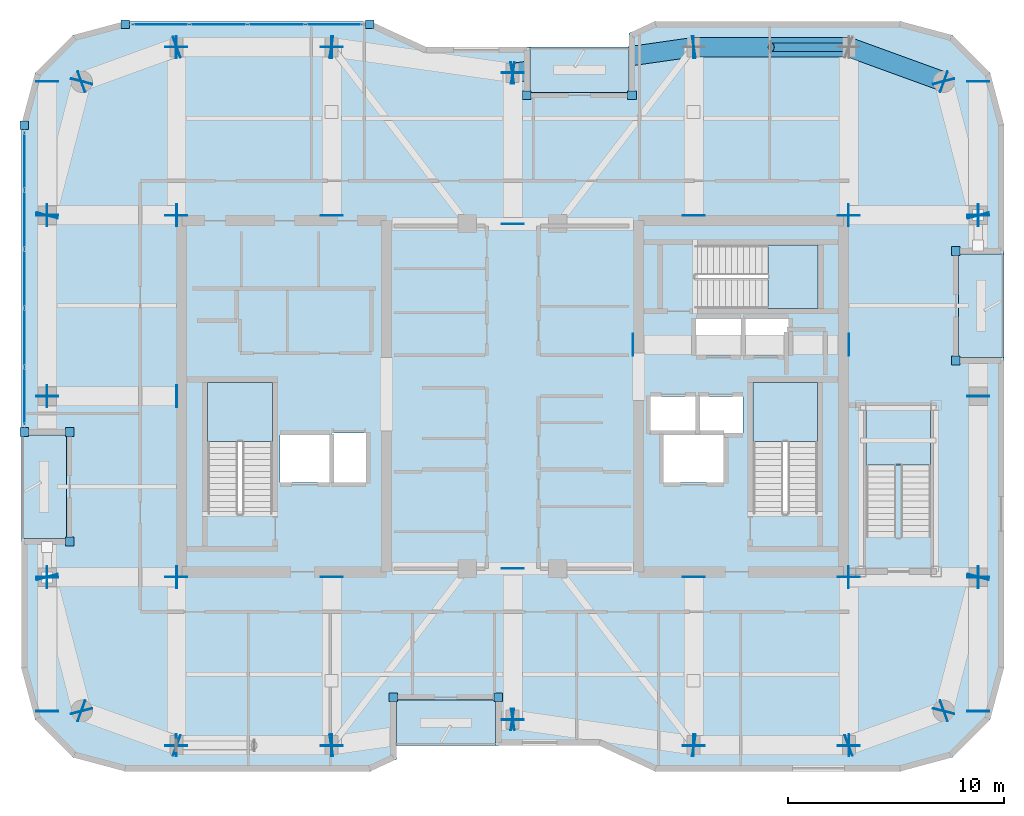
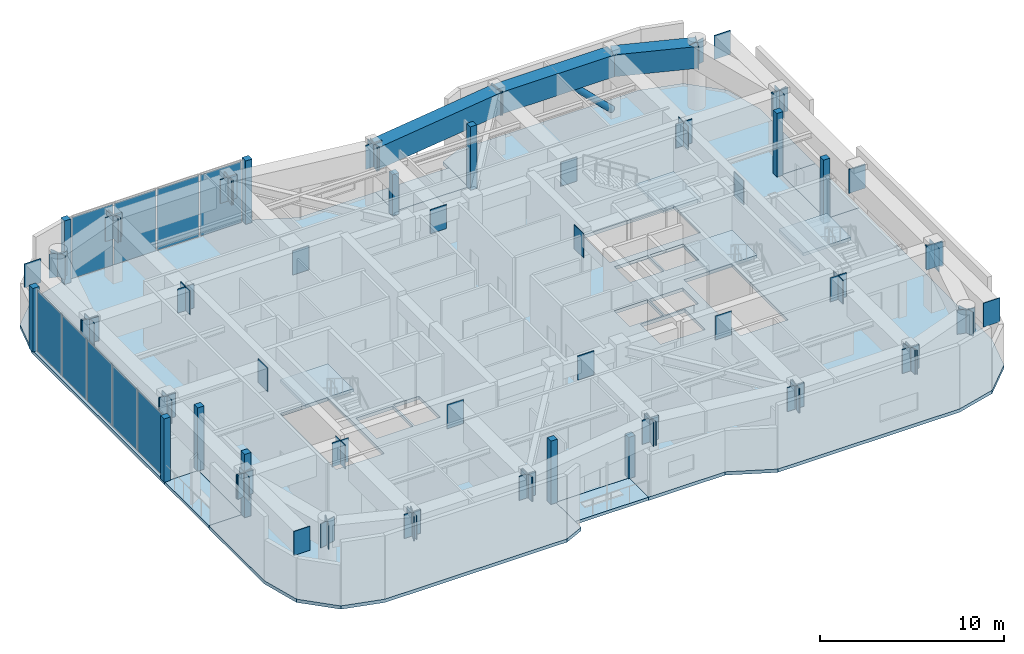
# One storey, part 7 of 17: 97 plates, 9 slabs, 3 beams, 1 member, 6 elements without a shape of their own.
"""IFC4 building model written with IfcOpenShell, lengths in metres."""

from ifc_helpers import new_model, si_unit, direction, frame, origin, origin_2d, place, context, subcontext, project, spatial, polyline, rectangle, hollow_rectangle, hollow_circle, outline, extrude, material, layer, layer_set, material_profile, profile_set, type_object, element, aggregate, save


model = new_model("IFC4")

# Units and contexts
model_context = context("Model", 3, precision=1e-05, world=origin(), true_north=direction((0.0, 1.0)))
body_context = subcontext(model_context, "Body", "Model", "MODEL_VIEW")
ifc_project = project(units=[si_unit("LENGTHUNIT", "METRE"), si_unit("AREAUNIT", "SQUARE_METRE"), si_unit("VOLUMEUNIT", "CUBIC_METRE"), si_unit("PLANEANGLEUNIT", "RADIAN"), si_unit("MASSUNIT", "GRAM", prefix="KILO")], contexts=[model_context])

# Site, building, storey
site_placement = place(None, origin())
site = spatial("IfcSite", under=ifc_project, at=site_placement, CompositionType="ELEMENT")
building_placement = place(site_placement, origin())
building = spatial("IfcBuilding", under=site, at=building_placement, Name="Kiyonajd Concourse Tower", CompositionType="ELEMENT")
storey_placement = place(building_placement, frame((0.0, 0.0, 350.39990234375)))
storey = spatial("IfcBuildingStorey", under=building, at=storey_placement, Name="L88", CompositionType="ELEMENT", Elevation=350.39990234375)

# Beams
ifc_material_1 = material(Name="Steel ASTM A572 Grade 50", Category="steel")
ifc_material_profile_1 = material_profile(ifc_material_1, hollow_rectangle(XDim=0.89990234375, YDim=1.449951171875, WallThickness=0.074951171875, at=origin_2d()), Name="BOX-1450x900x75")
ifc_profile_set_1 = profile_set([ifc_material_profile_1], Name="Steel ASTM A572 Grade 50")
beam_type = type_object("IfcBeamType", Name="BM-XFER-1800", PredefinedType="BEAM", material=ifc_profile_set_1)
beam_1_placement = place(storey_placement, frame((68.0, 50.60009765625, 3.47509765625), z_axis=(-0.939801036019, 0.341722127901, 0.0), x_axis=(-0.341722127901, -0.939801036019, 0.0)))
element("IfcBeam", 1, at=beam_1_placement, inside=storey, type_object=beam_type, Name="L88 Perimeter Bundled Tube Spandrel", PredefinedType="BEAM", context=body_context, shape_type="SweptSolid", body=[
    extrude(hollow_rectangle(XDim=0.89990234375, YDim=1.449951171875, WallThickness=0.074951171875, at=origin_2d()), origin(), (0.0, 0.0, 1.0), 4.681640625),
])
beam_2_placement = place(storey_placement, frame((63.60009765625, 52.199951171875, 3.47509765625), z_axis=(-1.0, 0.0, 0.0), x_axis=(0.0, -1.0, 0.0)))
element("IfcBeam", 2, at=beam_2_placement, inside=storey, type_object=beam_type, Name="L88 Perimeter Bundled Tube Spandrel", PredefinedType="BEAM", context=body_context, shape_type="SweptSolid", body=[
    extrude(hollow_rectangle(XDim=0.89990234375, YDim=1.449951171875, WallThickness=0.074951171875, at=origin_2d()), origin(), (0.0, 0.0, 1.0), 7.2001953125),
])
beam_3_placement = place(storey_placement, frame((56.39990234375, 52.199951171875, 3.47509765625), z_axis=(-0.989950069105, -0.141417328072, 0.0), x_axis=(0.141417328072, -0.989950069105, 0.0)))
element("IfcBeam", 3, at=beam_3_placement, inside=storey, type_object=beam_type, Name="L88 Perimeter Bundled Tube Spandrel", PredefinedType="BEAM", context=body_context, shape_type="SweptSolid", body=[
    extrude(hollow_rectangle(XDim=0.89990234375, YDim=1.449951171875, WallThickness=0.074951171875, at=origin_2d()), origin(), (0.0, 0.0, 1.0), 8.485107421875),
])

# Member
ifc_material_2 = material(Name="Steel ASTM A500 Grade C", Category="steel")
ifc_material_profile_2 = material_profile(ifc_material_2, hollow_circle(Radius=0.202880859375, WallThickness=0.01904296875, at=origin_2d()), Name="CHS-406x19")
ifc_profile_set_2 = profile_set([ifc_material_profile_2], Name="Steel ASTM A500 Grade C")
member_type = type_object("IfcMemberType", Name="MB-PB-HIGH", PredefinedType="BRACE", material=ifc_profile_set_2)
member_placement = place(storey_placement, frame((63.60009765625, 52.199951171875, 0.300048828125), z_axis=(-0.712038868151, 0.0, 0.702140050305), x_axis=(0.0, -1.0, 0.0)))
element("IfcMember", 4, at=member_placement, inside=storey, type_object=member_type, Name="L88 Upper Zone Hollow Tube Brace PBN", PredefinedType="BRACE", context=body_context, shape_type="SweptSolid", body=[
    extrude(hollow_circle(Radius=0.202880859375, WallThickness=0.01904296875, at=origin_2d()), origin(), (0.0, 0.0, 1.0), 5.05615234375),
])

# Plates
ifc_layer_1 = layer(ifc_material_1, 0.031982421875)
ifc_layer_set_1 = layer_set([ifc_layer_1], Name="Steel ASTM A572 Grade 50")
plate_type_1 = type_object("IfcPlateType", Name="PL-CAP-540", PredefinedType="USERDEFINED", material=ifc_layer_set_1)
for number, where, z_axis, x_axis, name in (
    (5, (26.39990234375, 21.388916015625, 2.64013671875), (0.0, 0.0, 1.0), (0.0, -1.0, 0.0), "L88 Transfer Box Cap Plate"),
    (6, (26.39990234375, 27.611083984375, 2.64013671875), (0.0, 0.0, 1.0), (0.0, 1.0, 0.0), "L88 Transfer Box Cap Plate"),
    (7, (26.39990234375, 44.388916015625, 2.64013671875), (0.0, 0.0, 1.0), (0.0, -1.0, 0.0), "L88 Transfer Box Cap Plate"),
    (8, (26.39990234375, 50.611083984375, 2.64013671875), (0.0, 0.0, 1.0), (0.0, 1.0, 0.0), "L88 Transfer Box Cap Plate"),
    (9, (69.60009765625, 21.388916015625, 2.64013671875), (0.0, 0.0, 1.0), (0.0, -1.0, 0.0), "L88 Transfer Box Cap Plate"),
    (10, (69.60009765625, 27.611083984375, 2.64013671875), (0.0, 0.0, 1.0), (0.0, 1.0, 0.0), "L88 Transfer Box Cap Plate"),
    (11, (69.60009765625, 44.388916015625, 2.64013671875), (0.0, 0.0, 1.0), (0.0, -1.0, 0.0), "L88 Transfer Box Cap Plate"),
    (12, (69.60009765625, 50.611083984375, 2.64013671875), (0.0, 0.0, 1.0), (0.0, 1.0, 0.0), "L88 Transfer Box Cap Plate"),
    (13, (53.589111328125, 38.39990234375, 2.64013671875), (0.0, 0.0, 1.0), (-1.0, 0.0, 0.0), "L88 Welded Box Girder End Cap"),
    (14, (63.611083984375, 38.39990234375, 2.64013671875), (0.0, 0.0, 1.0), (1.0, 0.0, 0.0), "L88 Welded Box Girder End Cap"),
    (15, (26.397216796875, 27.610595703125, 2.64013671875), (0.0, 0.0, 1.0), (-0.249873048837, 0.968278606324, 0.0), "L88 Welded Box Girder End Cap"),
    (16, (28.002685546875, 21.389404296875, 2.64013671875), (0.0, 0.0, 1.0), (0.249873048837, -0.968278606324, 0.0), "L88 Welded Box Girder End Cap"),
    (17, (27.98974609375, 21.40380859375, 2.64013671875), (0.0, 0.0, 1.0), (-0.939811951086, 0.341692107891, 0.0), "L88 Welded Box Girder End Cap"),
    (18, (32.410400390625, 19.796142578125, 2.64013671875), (0.0, 0.0, 1.0), (0.939811951086, -0.341692107891, 0.0), "L88 Welded Box Girder End Cap"),
    (19, (32.388916015625, 19.800048828125, 2.68017578125), (0.0, 0.0, 1.0), (-1.0, 0.0, 0.0), "L88 Welded Box Girder End Cap"),
    (20, (39.611083984375, 19.800048828125, 2.68017578125), (0.0, 0.0, 1.0), (1.0, 0.0, 0.0), "L88 Welded Box Girder End Cap"),
    (21, (39.589111328125, 19.79833984375, 2.68017578125), (0.0, 0.0, 1.0), (-0.989949746297, -0.141419587774, 0.0), "L88 Welded Box Girder End Cap"),
    (22, (48.010986328125, 21.001708984375, 2.68017578125), (0.0, 0.0, 1.0), (0.989949746297, 0.141419587774, 0.0), "L88 Welded Box Girder End Cap"),
    (23, (47.989013671875, 21.001708984375, 2.68017578125), (0.0, 0.0, 1.0), (-0.989949746297, 0.141419587774, 0.0), "L88 Welded Box Girder End Cap"),
    (24, (56.410888671875, 19.79833984375, 2.68017578125), (0.0, 0.0, 1.0), (0.989949746297, -0.141419587774, 0.0), "L88 Welded Box Girder End Cap"),
    (25, (56.388916015625, 19.800048828125, 2.68017578125), (0.0, 0.0, 1.0), (-1.0, 0.0, 0.0), "L88 Welded Box Girder End Cap"),
    (26, (63.611083984375, 19.800048828125, 2.68017578125), (0.0, 0.0, 1.0), (1.0, 0.0, 0.0), "L88 Welded Box Girder End Cap"),
    (27, (63.589599609375, 19.796142578125, 2.64013671875), (0.0, 0.0, 1.0), (-0.939811951086, -0.341692107891, 0.0), "L88 Welded Box Girder End Cap"),
    (28, (68.01025390625, 21.40380859375, 2.64013671875), (0.0, 0.0, 1.0), (0.939811951086, 0.341692107891, 0.0), "L88 Welded Box Girder End Cap"),
    (29, (67.997314453125, 21.389404296875, 2.64013671875), (0.0, 0.0, 1.0), (-0.249873048837, -0.968278606324, 0.0), "L88 Welded Box Girder End Cap"),
    (30, (69.602783203125, 27.610595703125, 2.64013671875), (0.0, 0.0, 1.0), (0.249873048837, 0.968278606324, 0.0), "L88 Welded Box Girder End Cap"),
    (31, (69.60009765625, 27.589111328125, 2.64013671875), (0.0, 0.0, 1.0), (0.0, -1.0, 0.0), "L88 Welded Box Girder End Cap"),
    (32, (69.60009765625, 36.010986328125, 2.64013671875), (0.0, 0.0, 1.0), (0.0, 1.0, 0.0), "L88 Welded Box Girder End Cap"),
    (33, (69.60009765625, 35.989013671875, 2.64013671875), (0.0, 0.0, 1.0), (0.0, -1.0, 0.0), "L88 Welded Box Girder End Cap"),
    (34, (69.60009765625, 44.410888671875, 2.64013671875), (0.0, 0.0, 1.0), (0.0, 1.0, 0.0), "L88 Welded Box Girder End Cap"),
    (35, (69.602783203125, 44.389404296875, 2.64013671875), (0.0, 0.0, 1.0), (0.249873048837, -0.968278606324, 0.0), "L88 Welded Box Girder End Cap"),
    (36, (67.997314453125, 50.610595703125, 2.64013671875), (0.0, 0.0, 1.0), (-0.249873048837, 0.968278606324, 0.0), "L88 Welded Box Girder End Cap"),
    (37, (68.01025390625, 50.59619140625, 2.68017578125), (0.0, 0.0, 1.0), (0.939811951086, -0.341692107891, 0.0), "L88 Welded Box Girder End Cap"),
    (38, (56.388916015625, 52.199951171875, 2.68017578125), (0.0, 0.0, 1.0), (-1.0, 0.0, 0.0), "L88 Welded Box Girder End Cap"),
    (39, (56.410888671875, 52.20166015625, 2.68017578125), (0.0, 0.0, 1.0), (0.989949746297, 0.141419587774, 0.0), "L88 Welded Box Girder End Cap"),
    (40, (47.989013671875, 50.998291015625, 2.68017578125), (0.0, 0.0, 1.0), (-0.989949746297, -0.141419587774, 0.0), "L88 Welded Box Girder End Cap"),
    (41, (48.010986328125, 50.998291015625, 2.68017578125), (0.0, 0.0, 1.0), (0.989949746297, -0.141419587774, 0.0), "L88 Welded Box Girder End Cap"),
    (42, (39.589111328125, 52.20166015625, 2.68017578125), (0.0, 0.0, 1.0), (-0.989949746297, 0.141419587774, 0.0), "L88 Welded Box Girder End Cap"),
    (43, (39.611083984375, 52.199951171875, 2.68017578125), (0.0, 0.0, 1.0), (1.0, 0.0, 0.0), "L88 Welded Box Girder End Cap"),
    (44, (32.388916015625, 52.199951171875, 2.68017578125), (0.0, 0.0, 1.0), (-1.0, 0.0, 0.0), "L88 Welded Box Girder End Cap"),
    (45, (32.410400390625, 52.203857421875, 2.68017578125), (0.0, 0.0, 1.0), (0.939811951086, 0.341692107891, 0.0), "L88 Welded Box Girder End Cap"),
    (46, (27.98974609375, 50.59619140625, 2.68017578125), (0.0, 0.0, 1.0), (-0.939811951086, -0.341692107891, 0.0), "L88 Welded Box Girder End Cap"),
    (47, (28.002685546875, 50.610595703125, 2.64013671875), (0.0, 0.0, 1.0), (0.249873048837, 0.968278606324, 0.0), "L88 Welded Box Girder End Cap"),
    (48, (26.397216796875, 44.389404296875, 2.64013671875), (0.0, 0.0, 1.0), (-0.249873048837, -0.968278606324, 0.0), "L88 Welded Box Girder End Cap"),
    (49, (26.39990234375, 44.410888671875, 2.64013671875), (0.0, 0.0, 1.0), (0.0, 1.0, 0.0), "L88 Welded Box Girder End Cap"),
    (50, (26.39990234375, 35.989013671875, 2.64013671875), (0.0, 0.0, 1.0), (0.0, -1.0, 0.0), "L88 Welded Box Girder End Cap"),
    (51, (26.39990234375, 36.010986328125, 2.64013671875), (0.0, 0.0, 1.0), (0.0, 1.0, 0.0), "L88 Welded Box Girder End Cap"),
    (52, (26.39990234375, 27.589111328125, 2.64013671875), (0.0, 0.0, 1.0), (0.0, -1.0, 0.0), "L88 Welded Box Girder End Cap"),
    (53, (32.39990234375, 19.7890625, 2.64013671875), (0.0, 0.0, 1.0), (0.0, -1.0, 0.0), "L88 Welded Box Girder End Cap"),
    (54, (32.39990234375, 27.611083984375, 2.64013671875), (0.0, 0.0, 1.0), (0.0, 1.0, 0.0), "L88 Welded Box Girder End Cap"),
    (55, (32.39990234375, 44.388916015625, 2.64013671875), (0.0, 0.0, 1.0), (0.0, -1.0, 0.0), "L88 Welded Box Girder End Cap"),
    (56, (32.39990234375, 52.2109375, 2.64013671875), (0.0, 0.0, 1.0), (0.0, 1.0, 0.0), "L88 Welded Box Girder End Cap"),
    (57, (39.60009765625, 19.7890625, 2.64013671875), (0.0, 0.0, 1.0), (0.0, -1.0, 0.0), "L88 Welded Box Girder End Cap"),
    (58, (39.60009765625, 27.611083984375, 2.64013671875), (0.0, 0.0, 1.0), (0.0, 1.0, 0.0), "L88 Welded Box Girder End Cap"),
    (59, (39.60009765625, 44.388916015625, 2.64013671875), (0.0, 0.0, 1.0), (0.0, -1.0, 0.0), "L88 Welded Box Girder End Cap"),
    (60, (39.60009765625, 52.2109375, 2.64013671875), (0.0, 0.0, 1.0), (0.0, 1.0, 0.0), "L88 Welded Box Girder End Cap"),
    (61, (56.39990234375, 19.7890625, 2.64013671875), (0.0, 0.0, 1.0), (0.0, -1.0, 0.0), "L88 Welded Box Girder End Cap"),
    (62, (56.39990234375, 27.611083984375, 2.64013671875), (0.0, 0.0, 1.0), (0.0, 1.0, 0.0), "L88 Welded Box Girder End Cap"),
    (63, (56.39990234375, 44.388916015625, 2.64013671875), (0.0, 0.0, 1.0), (0.0, -1.0, 0.0), "L88 Welded Box Girder End Cap"),
    (64, (63.60009765625, 19.7890625, 2.64013671875), (0.0, 0.0, 1.0), (0.0, -1.0, 0.0), "L88 Welded Box Girder End Cap"),
    (65, (63.60009765625, 27.611083984375, 2.64013671875), (0.0, 0.0, 1.0), (0.0, 1.0, 0.0), "L88 Welded Box Girder End Cap"),
    (66, (63.60009765625, 44.388916015625, 2.64013671875), (0.0, 0.0, 1.0), (0.0, -1.0, 0.0), "L88 Welded Box Girder End Cap"),
    (67, (48.0, 20.989013671875, 2.68017578125), (0.0, 0.0, 1.0), (0.0, -1.0, 0.0), "L88 Welded Box Girder End Cap"),
    (68, (48.0, 28.010986328125, 2.68017578125), (0.0, 0.0, 1.0), (0.0, 1.0, 0.0), "L88 Welded Box Girder End Cap"),
    (69, (48.0, 43.989013671875, 2.68017578125), (0.0, 0.0, 1.0), (0.0, -1.0, 0.0), "L88 Welded Box Girder End Cap"),
    (70, (48.0, 51.010986328125, 2.68017578125), (0.0, 0.0, 1.0), (0.0, 1.0, 0.0), "L88 Welded Box Girder End Cap"),
    (71, (26.388916015625, 27.60009765625, 2.64013671875), (0.0, 0.0, 1.0), (-1.0, 0.0, 0.0), "L88 Welded Box Girder End Cap"),
    (72, (32.410888671875, 27.60009765625, 2.64013671875), (0.0, 0.0, 1.0), (1.0, 0.0, 0.0), "L88 Welded Box Girder End Cap"),
    (73, (63.589111328125, 27.60009765625, 2.64013671875), (0.0, 0.0, 1.0), (-1.0, 0.0, 0.0), "L88 Welded Box Girder End Cap"),
    (74, (69.611083984375, 27.60009765625, 2.64013671875), (0.0, 0.0, 1.0), (1.0, 0.0, 0.0), "L88 Welded Box Girder End Cap"),
    (75, (26.388916015625, 36.0, 2.64013671875), (0.0, 0.0, 1.0), (-1.0, 0.0, 0.0), "L88 Welded Box Girder End Cap"),
    (76, (32.410888671875, 36.0, 2.64013671875), (0.0, 0.0, 1.0), (1.0, 0.0, 0.0), "L88 Welded Box Girder End Cap"),
    (77, (26.388916015625, 44.39990234375, 2.64013671875), (0.0, 0.0, 1.0), (-1.0, 0.0, 0.0), "L88 Welded Box Girder End Cap"),
    (78, (32.410888671875, 44.39990234375, 2.64013671875), (0.0, 0.0, 1.0), (1.0, 0.0, 0.0), "L88 Welded Box Girder End Cap"),
    (79, (63.589111328125, 44.39990234375, 2.64013671875), (0.0, 0.0, 1.0), (-1.0, 0.0, 0.0), "L88 Welded Box Girder End Cap"),
    (80, (69.611083984375, 44.39990234375, 2.64013671875), (0.0, 0.0, 1.0), (1.0, 0.0, 0.0), "L88 Welded Box Girder End Cap"),
):
    element("IfcPlate", number, at=place(storey_placement, frame(where, z_axis=z_axis, x_axis=x_axis)), inside=storey, type_object=plate_type_1, Name=name, ObjectType="CAP PLATE", PredefinedType="USERDEFINED", context=body_context, shape_type="SweptSolid", body=[
        extrude(rectangle(XDim=0.035888671875, YDim=1.02001953125, at=origin_2d()), origin(), (0.0, 0.0, 1.0), 1.590087890625),
    ])

# Curtain wall, plates
ifc_material_3 = material(Name="Thermally Broken Anodised Aluminium", Category="aluminium")
ifc_layer_2 = layer(ifc_material_3, 0.179931640625)
ifc_layer_set_2 = layer_set([ifc_layer_2], Name="Thermally Broken Anodised Aluminium")
curtain_wall_type = type_object("IfcCurtainWallType", Name="CW-SYS-06", PredefinedType="NOTDEFINED", material=ifc_layer_set_2)
curtain_wall_1_placement = place(storey_placement, origin())
curtain_wall_1 = element("IfcCurtainWall", 81, at=curtain_wall_1_placement, inside=storey, type_object=curtain_wall_type, Name="L88 Unitised Curtain Wall CW6", PredefinedType="NOTDEFINED")
ifc_material_4 = material(Name="Double Low-E Insulated Glass", Category="glass")
ifc_layer_3 = layer(ifc_material_4, 0.028076171875)
ifc_layer_set_3 = layer_set([ifc_layer_3], Name="Double Low-E Insulated Glass")
plate_type_2 = type_object("IfcPlateType", Name="PL-CW-VIS28", PredefinedType="CURTAIN_PANEL", material=ifc_layer_set_3)
plate_1_placement = place(storey_placement, frame((25.340087890625, 36.014892578125, 0.0751953125), z_axis=(0.0, 0.0, 1.0), x_axis=(0.0, 1.0, 0.0)))
plate_1 = element("IfcPlate", 82, at=plate_1_placement, type_object=plate_type_2, Name="CW6 panel 1.1", PredefinedType="CURTAIN_PANEL", context=body_context, shape_type="SweptSolid", body=[
    extrude(rectangle(XDim=2.619873046875, YDim=0.028076171875, at=origin_2d()), origin(), (0.0, 0.0, 1.0), 4.050048828125),
])
plate_2_placement = place(storey_placement, frame((25.340087890625, 38.728515625, 0.0751953125), z_axis=(0.0, 0.0, 1.0), x_axis=(0.0, 1.0, 0.0)))
plate_2 = element("IfcPlate", 83, at=plate_2_placement, type_object=plate_type_2, Name="CW6 panel 2.1", PredefinedType="CURTAIN_PANEL", context=body_context, shape_type="SweptSolid", body=[
    extrude(rectangle(XDim=2.6572265625, YDim=0.028076171875, at=origin_2d()), origin(), (0.0, 0.0, 1.0), 4.050048828125),
])
plate_3_placement = place(storey_placement, frame((25.340087890625, 41.460693359375, 0.0751953125), z_axis=(0.0, 0.0, 1.0), x_axis=(0.0, 1.0, 0.0)))
plate_3 = element("IfcPlate", 84, at=plate_3_placement, type_object=plate_type_2, Name="CW6 panel 3.1", PredefinedType="CURTAIN_PANEL", context=body_context, shape_type="SweptSolid", body=[
    extrude(rectangle(XDim=2.6572265625, YDim=0.028076171875, at=origin_2d()), origin(), (0.0, 0.0, 1.0), 4.050048828125),
])
plate_4_placement = place(storey_placement, frame((25.340087890625, 44.193115234375, 0.0751953125), z_axis=(0.0, 0.0, 1.0), x_axis=(0.0, 1.0, 0.0)))
plate_4 = element("IfcPlate", 85, at=plate_4_placement, type_object=plate_type_2, Name="CW6 panel 4.1", PredefinedType="CURTAIN_PANEL", context=body_context, shape_type="SweptSolid", body=[
    extrude(rectangle(XDim=2.6572265625, YDim=0.028076171875, at=origin_2d()), origin(), (0.0, 0.0, 1.0), 4.050048828125),
])
plate_5_placement = place(storey_placement, frame((25.340087890625, 46.90673828125, 0.0751953125), z_axis=(0.0, 0.0, 1.0), x_axis=(0.0, 1.0, 0.0)))
plate_5 = element("IfcPlate", 86, at=plate_5_placement, type_object=plate_type_2, Name="CW6 panel 5.1", PredefinedType="CURTAIN_PANEL", context=body_context, shape_type="SweptSolid", body=[
    extrude(rectangle(XDim=2.619873046875, YDim=0.028076171875, at=origin_2d()), origin(), (0.0, 0.0, 1.0), 4.050048828125),
])
aggregate(curtain_wall_1, [plate_1, plate_2, plate_3, plate_4, plate_5])

curtain_wall_2_placement = place(storey_placement, origin())
curtain_wall_2 = element("IfcCurtainWall", 87, at=curtain_wall_2_placement, inside=storey, type_object=curtain_wall_type, Name="L88 Unitised Curtain Wall CW6", PredefinedType="NOTDEFINED")
plate_6_placement = place(storey_placement, frame((31.673583984375, 53.260009765625, 0.0751953125), z_axis=(0.0, 0.0, 1.0), x_axis=(1.0, 0.0, 0.0)))
plate_6 = element("IfcPlate", 88, at=plate_6_placement, type_object=plate_type_2, Name="CW6 panel 1.1", PredefinedType="CURTAIN_PANEL", context=body_context, shape_type="SweptSolid", body=[
    extrude(rectangle(XDim=2.580322265625, YDim=0.028076171875, at=origin_2d()), origin(), (0.0, 0.0, 1.0), 4.050048828125),
])
plate_7_placement = place(storey_placement, frame((34.347412109375, 53.260009765625, 0.0751953125), z_axis=(0.0, 0.0, 1.0), x_axis=(1.0, 0.0, 0.0)))
plate_7 = element("IfcPlate", 89, at=plate_7_placement, type_object=plate_type_2, Name="CW6 panel 2.1", PredefinedType="CURTAIN_PANEL", context=body_context, shape_type="SweptSolid", body=[
    extrude(rectangle(XDim=2.61767578125, YDim=0.028076171875, at=origin_2d()), origin(), (0.0, 0.0, 1.0), 4.050048828125),
])
plate_8_placement = place(storey_placement, frame((37.040283203125, 53.260009765625, 0.0751953125), z_axis=(0.0, 0.0, 1.0), x_axis=(1.0, 0.0, 0.0)))
plate_8 = element("IfcPlate", 90, at=plate_8_placement, type_object=plate_type_2, Name="CW6 panel 3.1", PredefinedType="CURTAIN_PANEL", context=body_context, shape_type="SweptSolid", body=[
    extrude(rectangle(XDim=2.61767578125, YDim=0.028076171875, at=origin_2d()), origin(), (0.0, 0.0, 1.0), 4.050048828125),
])
plate_9_placement = place(storey_placement, frame((39.714111328125, 53.260009765625, 0.0751953125), z_axis=(0.0, 0.0, 1.0), x_axis=(1.0, 0.0, 0.0)))
plate_9 = element("IfcPlate", 91, at=plate_9_placement, type_object=plate_type_2, Name="CW6 panel 4.1", PredefinedType="CURTAIN_PANEL", context=body_context, shape_type="SweptSolid", body=[
    extrude(rectangle(XDim=2.580322265625, YDim=0.028076171875, at=origin_2d()), origin(), (0.0, 0.0, 1.0), 4.050048828125),
])
aggregate(curtain_wall_2, [plate_6, plate_7, plate_8, plate_9])

# Plates
ifc_layer_4 = layer(ifc_material_3, 0.39990234375)
ifc_layer_set_4 = layer_set([ifc_layer_4], Name="Thermally Broken Anodised Aluminium")
plate_type_3 = type_object("IfcPlateType", Name="PL-JMB-400", PredefinedType="USERDEFINED", material=ifc_layer_set_4)
for number, where, z_axis, x_axis, name in (
    (92, (27.43994140625, 29.260009765625, 0.0), (0.0, 0.0, 1.0), (1.0, 0.0, 0.0), "L88 Facade Jamb Closure Plate 01"),
    (93, (27.43994140625, 34.340087890625, 0.0), (0.0, 0.0, 1.0), (1.0, 0.0, 0.0), "L88 Facade Jamb Closure Plate 02"),
    (94, (25.340087890625, 34.340087890625, 0.0), (0.0, 0.0, 1.0), (1.0, 0.0, 0.0), "L88 Facade Jamb Closure Plate 03"),
    (95, (25.340087890625, 48.58154296875, 0.0), (0.0, 0.0, 1.0), (1.0, 0.0, 0.0), "L88 Facade Jamb Closure Plate 04"),
    (96, (30.018310546875, 53.260009765625, 0.0), (0.0, 0.0, 1.0), (1.0, 0.0, 0.0), "L88 Facade Jamb Closure Plate 05"),
    (97, (41.369384765625, 53.260009765625, 0.0), (0.0, 0.0, 1.0), (1.0, 0.0, 0.0), "L88 Facade Jamb Closure Plate 06"),
):
    element("IfcPlate", number, at=place(storey_placement, frame(where, z_axis=z_axis, x_axis=x_axis)), inside=storey, type_object=plate_type_3, Name=name, ObjectType="JAMB PLATE", PredefinedType="USERDEFINED", context=body_context, shape_type="SweptSolid", body=[
        extrude(rectangle(XDim=0.39990234375, YDim=0.39990234375, at=origin_2d()), origin(), (0.0, 0.0, 1.0), 4.199951171875),
    ])
plate_10_placement = place(storey_placement, frame((48.659912109375, 49.9599609375, 0.0), z_axis=(0.0, 0.0, 1.0), x_axis=(1.0, 0.0, 0.0)))
element("IfcPlate", 98, at=plate_10_placement, inside=storey, type_object=plate_type_3, Name="L88 Facade Jamb Closure Plate 07", ObjectType="JAMB PLATE", PredefinedType="USERDEFINED", context=body_context, shape_type="SweptSolid", body=[
    extrude(rectangle(XDim=0.39990234375, YDim=0.39990234375, at=origin_2d()), origin(), (0.0, 0.0, 1.0), 2.735107421875),
])
for number, where, z_axis, x_axis, name in (
    (99, (53.5400390625, 49.9599609375, 0.0), (0.0, 0.0, 1.0), (1.0, 0.0, 0.0), "L88 Facade Jamb Closure Plate 08"),
    (100, (68.56005859375, 42.739990234375, 0.0), (0.0, 0.0, 1.0), (1.0, 0.0, 0.0), "L88 Facade Jamb Closure Plate 09"),
    (101, (68.56005859375, 37.659912109375, 0.0), (0.0, 0.0, 1.0), (1.0, 0.0, 0.0), "L88 Facade Jamb Closure Plate 10"),
):
    element("IfcPlate", number, at=place(storey_placement, frame(where, z_axis=z_axis, x_axis=x_axis)), inside=storey, type_object=plate_type_3, Name=name, ObjectType="JAMB PLATE", PredefinedType="USERDEFINED", context=body_context, shape_type="SweptSolid", body=[
        extrude(rectangle(XDim=0.39990234375, YDim=0.39990234375, at=origin_2d()), origin(), (0.0, 0.0, 1.0), 4.199951171875),
    ])
plate_11_placement = place(storey_placement, frame((47.340087890625, 22.0400390625, 0.0), z_axis=(0.0, 0.0, 1.0), x_axis=(1.0, 0.0, 0.0)))
element("IfcPlate", 102, at=plate_11_placement, inside=storey, type_object=plate_type_3, Name="L88 Facade Jamb Closure Plate 11", ObjectType="JAMB PLATE", PredefinedType="USERDEFINED", context=body_context, shape_type="SweptSolid", body=[
    extrude(rectangle(XDim=0.39990234375, YDim=0.39990234375, at=origin_2d()), origin(), (0.0, 0.0, 1.0), 2.735107421875),
])
plate_12_placement = place(storey_placement, frame((42.4599609375, 22.0400390625, 0.0), z_axis=(0.0, 0.0, 1.0), x_axis=(1.0, 0.0, 0.0)))
element("IfcPlate", 103, at=plate_12_placement, inside=storey, type_object=plate_type_3, Name="L88 Facade Jamb Closure Plate 12", ObjectType="JAMB PLATE", PredefinedType="USERDEFINED", context=body_context, shape_type="SweptSolid", body=[
    extrude(rectangle(XDim=0.39990234375, YDim=0.39990234375, at=origin_2d()), origin(), (0.0, 0.0, 1.0), 4.199951171875),
])

# Stair, slab
ifc_material_5 = material(Name="Concrete C40/50", Category="concrete")
stair_type = type_object("IfcStairType", Name="ST-DLG-26R", PredefinedType="HALF_TURN_STAIR", material=ifc_material_5)
stair_1_placement = place(storey_placement, origin())
stair_1 = element("IfcStair", 104, at=stair_1_placement, inside=storey, type_object=stair_type, Name="L88 Protected Exit Stair ST1", PredefinedType="HALF_TURN_STAIR")
ifc_layer_5 = layer(ifc_material_5, 0.199951171875)
ifc_layer_set_5 = layer_set([ifc_layer_5], Name="Concrete C40/50")
slab_type_1 = type_object("IfcSlabType", Name="SL-LND-200", PredefinedType="LANDING", material=ifc_layer_set_5)
slab_1_placement = place(storey_placement, frame((0.0, 0.0, 2.050048828125)))
slab_1 = element("IfcSlab", 105, at=slab_1_placement, type_object=slab_type_1, Name="ST1 landing 1", PredefinedType="LANDING", context=body_context, shape_type="SweptSolid", body=[
    extrude(outline(polyline([(36.85009765625, 33.909912109375), (36.85009765625, 36.64990234375), (33.85009765625, 36.64990234375), (33.85009765625, 33.909912109375), (36.85009765625, 33.909912109375)])), origin(), (0.0, 0.0, 1.0), 0.199951171875),
])
aggregate(stair_1, [slab_1])

stair_2_placement = place(storey_placement, origin())
stair_2 = element("IfcStair", 106, at=stair_2_placement, inside=storey, type_object=stair_type, Name="L88 Protected Exit Stair ST2", PredefinedType="HALF_TURN_STAIR")
slab_2_placement = place(storey_placement, frame((0.0, 0.0, 2.050048828125)))
slab_2 = element("IfcSlab", 107, at=slab_2_placement, type_object=slab_type_1, Name="ST2 landing 1", PredefinedType="LANDING", context=body_context, shape_type="SweptSolid", body=[
    extrude(outline(polyline([(62.14990234375, 33.909912109375), (62.14990234375, 36.64990234375), (59.14990234375, 36.64990234375), (59.14990234375, 33.909912109375), (62.14990234375, 33.909912109375)])), origin(), (0.0, 0.0, 1.0), 0.199951171875),
])
aggregate(stair_2, [slab_2])

stair_3_placement = place(storey_placement, origin())
stair_3 = element("IfcStair", 108, at=stair_3_placement, inside=storey, type_object=stair_type, Name="L88 Protected Exit Stair ST3", PredefinedType="HALF_TURN_STAIR")
slab_3_placement = place(storey_placement, frame((0.0, 0.0, 2.050048828125)))
slab_3 = element("IfcSlab", 109, at=slab_3_placement, type_object=slab_type_1, Name="ST3 landing 1", PredefinedType="LANDING", context=body_context, shape_type="SweptSolid", body=[
    extrude(outline(polyline([(59.840087890625, 40.080078125), (62.179931640625, 40.080078125), (62.179931640625, 43.02001953125), (59.840087890625, 43.02001953125), (59.840087890625, 40.080078125)])), origin(), (0.0, 0.0, 1.0), 0.199951171875),
])
aggregate(stair_3, [slab_3])

stair_4_placement = place(storey_placement, origin())
stair_4 = element("IfcStair", 110, at=stair_4_placement, inside=storey, type_object=stair_type, Name="L88 East Crown Maintenance Stair ST6", PredefinedType="HALF_TURN_STAIR")
slab_4_placement = place(storey_placement, frame((0.0, 0.0, 2.050048828125)))
slab_4 = element("IfcSlab", 111, at=slab_4_placement, type_object=slab_type_1, Name="ST6 landing 1", PredefinedType="LANDING", context=body_context, shape_type="SweptSolid", body=[
    extrude(outline(polyline([(67.39990234375, 32.81005859375), (67.39990234375, 35.449951171875), (64.39990234375, 35.449951171875), (64.39990234375, 32.81005859375), (67.39990234375, 32.81005859375)])), origin(), (0.0, 0.0, 1.0), 0.199951171875),
])
aggregate(stair_4, [slab_4])

# Slabs
ifc_material_6 = material(Name="Precast concrete C50/60", Category="concrete")
ifc_layer_6 = layer(ifc_material_6, 0.199951171875)
ifc_layer_set_6 = layer_set([ifc_layer_6], Name="Precast concrete C50/60")
slab_type_2 = type_object("IfcSlabType", Name="SL-LOG-200", PredefinedType="FLOOR", material=ifc_layer_set_6)
slab_5_placement = place(storey_placement, frame((0.0, 0.0, -0.199951171875)))
element("IfcSlab", 112, at=slab_5_placement, inside=storey, type_object=slab_type_2, Name="L88 Recessed Engawa Loggia Terrace Slab LOG-S", PredefinedType="FLOOR", context=body_context, shape_type="SweptSolid", body=[
    extrude(outline(polyline([(42.60009765625, 19.800048828125), (47.199951171875, 19.800048828125), (47.199951171875, 21.89990234375), (42.60009765625, 21.89990234375), (42.60009765625, 19.800048828125)])), origin(), (0.0, 0.0, 1.0), 0.199951171875),
])
slab_6_placement = place(storey_placement, frame((0.0, 0.0, -0.199951171875)))
element("IfcSlab", 113, at=slab_6_placement, inside=storey, type_object=slab_type_2, Name="L88 Recessed Engawa Loggia Terrace Slab LOG-N", PredefinedType="FLOOR", context=body_context, shape_type="SweptSolid", body=[
    extrude(outline(polyline([(48.800048828125, 50.10009765625), (53.39990234375, 50.10009765625), (53.39990234375, 52.199951171875), (48.800048828125, 52.199951171875), (48.800048828125, 50.10009765625)])), origin(), (0.0, 0.0, 1.0), 0.199951171875),
])
slab_7_placement = place(storey_placement, frame((0.0, 0.0, -0.199951171875)))
element("IfcSlab", 114, at=slab_7_placement, inside=storey, type_object=slab_type_2, Name="L88 Recessed Engawa Loggia Terrace Slab LOG-W", PredefinedType="FLOOR", context=body_context, shape_type="SweptSolid", body=[
    extrude(outline(polyline([(25.199951171875, 29.39990234375), (27.300048828125, 29.39990234375), (27.300048828125, 34.199951171875), (25.199951171875, 34.199951171875), (25.199951171875, 29.39990234375)])), origin(), (0.0, 0.0, 1.0), 0.199951171875),
])
slab_8_placement = place(storey_placement, frame((0.0, 0.0, -0.199951171875)))
element("IfcSlab", 115, at=slab_8_placement, inside=storey, type_object=slab_type_2, Name="L88 Recessed Engawa Loggia Terrace Slab LOG-E", PredefinedType="FLOOR", context=body_context, shape_type="SweptSolid", body=[
    extrude(outline(polyline([(68.699951171875, 37.800048828125), (70.800048828125, 37.800048828125), (70.800048828125, 42.60009765625), (68.699951171875, 42.60009765625), (68.699951171875, 37.800048828125)])), origin(), (0.0, 0.0, 1.0), 0.199951171875),
])
ifc_layer_7 = layer(ifc_material_5, 0.219970703125)
ifc_layer_set_7 = layer_set([ifc_layer_7], Name="Concrete C40/50")
slab_type_3 = type_object("IfcSlabType", Name="SL-TWR-220", PredefinedType="FLOOR", material=ifc_layer_set_7)
slab_9_placement = place(storey_placement, frame((0.0, 0.0, -0.219970703125)))
element("IfcSlab", 116, at=slab_9_placement, inside=storey, type_object=slab_type_3, Name="L88 Tower Conditioned Floor Slab", PredefinedType="FLOOR", context=body_context, shape_type="SweptSolid", body=[
    extrude(outline(polyline([(25.843017578125, 21.0), (25.199951171875, 23.39990234375), (25.199951171875, 29.39990234375), (27.300048828125, 29.39990234375), (27.300048828125, 34.199951171875), (25.199951171875, 34.199951171875), (25.199951171875, 48.60009765625), (25.843017578125, 51.0), (27.60009765625, 52.757080078125), (30.0, 53.39990234375), (41.39990234375, 53.39990234375), (44.0, 52.199951171875), (48.800048828125, 52.199951171875), (48.800048828125, 50.10009765625), (53.39990234375, 50.10009765625), (53.39990234375, 52.845947265625), (54.60009765625, 53.39990234375), (66.0, 53.39990234375), (68.39990234375, 52.757080078125), (70.156982421875, 51.0), (70.800048828125, 48.60009765625), (70.800048828125, 42.60009765625), (68.699951171875, 42.60009765625), (68.699951171875, 37.800048828125), (70.800048828125, 37.800048828125), (70.800048828125, 23.39990234375), (70.156982421875, 21.0), (68.39990234375, 19.242919921875), (66.0, 18.60009765625), (54.60009765625, 18.60009765625), (52.0, 19.800048828125), (47.199951171875, 19.800048828125), (47.199951171875, 21.89990234375), (42.60009765625, 21.89990234375), (42.60009765625, 19.154052734375), (41.39990234375, 18.60009765625), (30.0, 18.60009765625), (27.60009765625, 19.242919921875), (25.843017578125, 21.0)]), holes=[polyline([(39.5, 32.0), (37.199951171875, 32.0), (37.199951171875, 34.199951171875), (39.5, 34.199951171875), (39.5, 32.0)]), polyline([(57.800048828125, 32.0), (55.0, 32.0), (55.0, 34.199951171875), (57.800048828125, 34.199951171875), (57.800048828125, 32.0)]), polyline([(41.199951171875, 32.0), (39.60009765625, 32.0), (39.60009765625, 34.300048828125), (41.199951171875, 34.300048828125), (41.199951171875, 32.0)]), polyline([(33.85009765625, 30.550048828125), (33.85009765625, 36.64990234375), (36.85009765625, 36.64990234375), (36.85009765625, 30.550048828125), (33.85009765625, 30.550048828125)]), polyline([(59.14990234375, 30.550048828125), (59.14990234375, 36.64990234375), (62.14990234375, 36.64990234375), (62.14990234375, 30.550048828125), (59.14990234375, 30.550048828125)]), polyline([(56.5, 34.300048828125), (54.39990234375, 34.300048828125), (54.39990234375, 36.0), (56.5, 36.0), (56.5, 34.300048828125)]), polyline([(58.699951171875, 34.300048828125), (56.60009765625, 34.300048828125), (56.60009765625, 36.0), (58.699951171875, 36.0), (58.699951171875, 34.300048828125)]), polyline([(58.60009765625, 37.89990234375), (56.5, 37.89990234375), (56.5, 39.60009765625), (58.60009765625, 39.60009765625), (58.60009765625, 37.89990234375)]), polyline([(58.699951171875, 37.89990234375), (58.699951171875, 39.60009765625), (60.800048828125, 39.60009765625), (60.800048828125, 37.89990234375), (58.699951171875, 37.89990234375)]), polyline([(56.47998046875, 43.02001953125), (62.179931640625, 43.02001953125), (62.179931640625, 40.080078125), (56.47998046875, 40.080078125), (56.47998046875, 43.02001953125)])]), origin(), (0.0, 0.0, 1.0), 0.219970703125),
])

save(model, "model.ifc")
